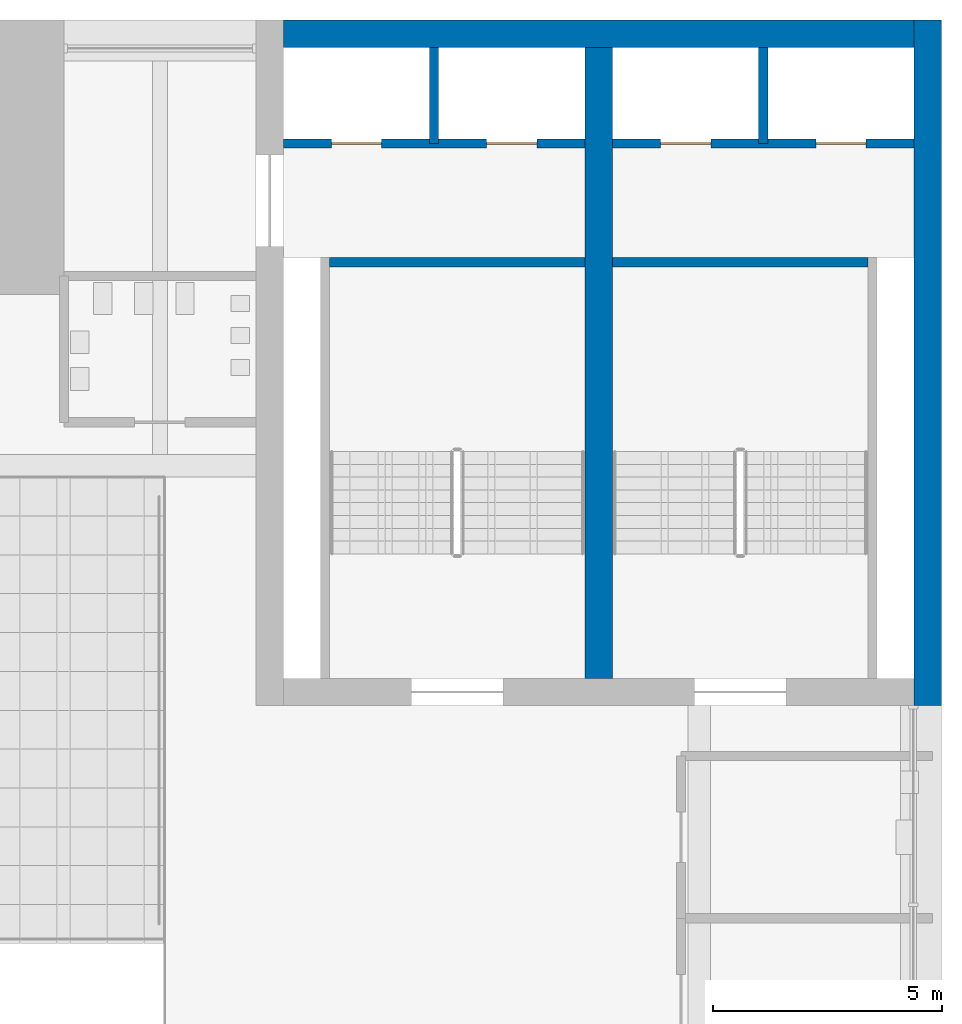
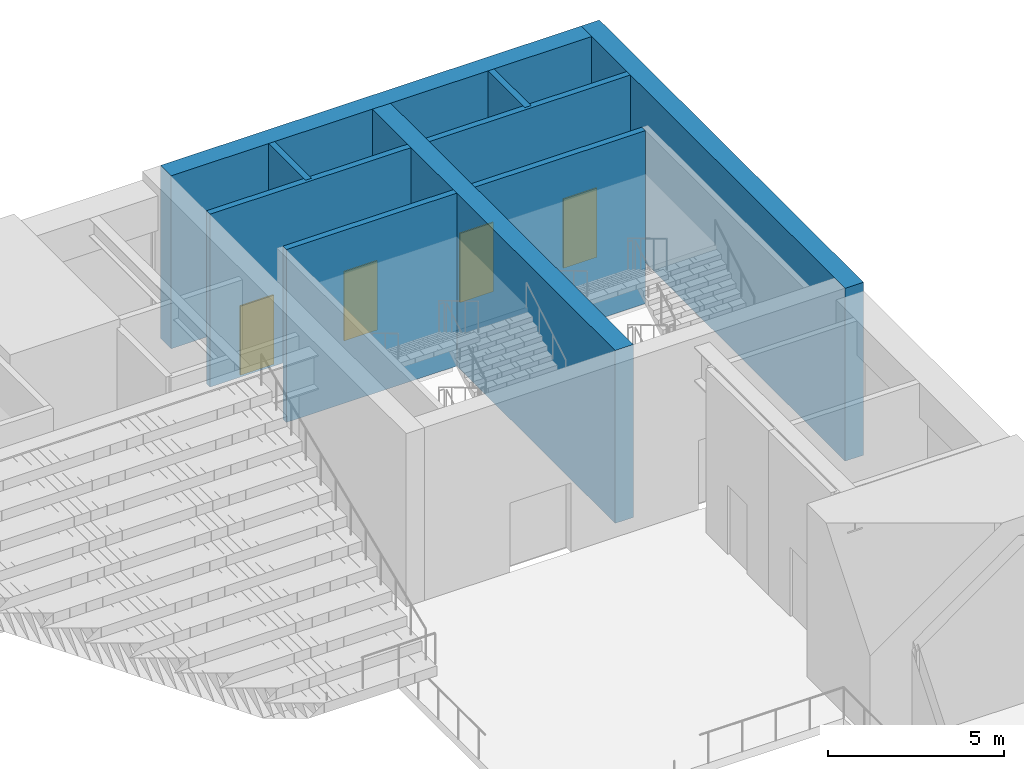
# One storey, part 33 of 61: 9 walls, 4 doors, 4 openings.
"""IFC4 building model written with IfcOpenShell, lengths in metres."""

import ifcopenshell
import ifcopenshell.guid

model = None  # the IFC model being written
_history = None  # IfcOwnerHistory: only IFC2X3 demands one
_inside = {}  # id of a spatial element -> (the spatial element, [elements in it])
_under = {}  # id of a project, library or spatial element -> (it, [spatial elements below it])
_declared = {}  # id of a project -> (the project, [libraries it declares])
_typed = {}  # id of a type object -> (the type object, [elements of that type])
_made_of = {}  # id of a material, layer set ... -> (it, [elements and type objects made of it])


def new_model(schema):
    """Start an empty IFC model of exactly this schema.

    Asked for "IFC4X3", IfcOpenShell would pick the latest addendum, in which some entities
    have other attributes; the version numbers below select the first issue.
    IFC2X3 requires an IfcOwnerHistory on every rooted entity: one is made here for all.
    """
    global model, _history
    if schema == "IFC4X3":
        model = ifcopenshell.file(schema_version=(4, 3, 0, 0))
    else:
        model = ifcopenshell.file(schema=schema)
    _inside.clear()
    _under.clear()
    _declared.clear()
    _typed.clear()
    _made_of.clear()
    _history = None
    if model.schema == "IFC2X3":
        org = make("IfcOrganization", Name="unknown")
        user = make(
            "IfcPersonAndOrganization",
            ThePerson=make("IfcPerson", FamilyName="unknown"),
            TheOrganization=org,
        )
        app = make(
            "IfcApplication",
            ApplicationDeveloper=org,
            Version="unknown",
            ApplicationFullName="unknown",
            ApplicationIdentifier="unknown",
        )
        _history = make(
            "IfcOwnerHistory",
            OwningUser=user,
            OwningApplication=app,
            ChangeAction="ADDED",
            CreationDate=0,
        )
    return model


def make(cls, **values):
    """One entity of the class cls with the attributes given. An attribute that is None is left unset."""
    return model.create_entity(
        cls, **{name: value for name, value in values.items() if value is not None}
    )


def rooted(cls, **values):
    """An entity with a GlobalId (a new one), such as an element, a storey or a relation."""
    return make(cls, GlobalId=ifcopenshell.guid.new(), OwnerHistory=_history, **values)


def si_unit(unit_type, name, prefix=None):
    """IfcSIUnit, for example si_unit("LENGTHUNIT", "METRE", prefix="MILLI")."""
    return make("IfcSIUnit", UnitType=unit_type, Prefix=prefix, Name=name)


def assignment(units):
    """IfcUnitAssignment: the units of a project."""
    return None if units is None else make("IfcUnitAssignment", Units=units)


def point(xyz):
    """IfcCartesianPoint."""
    return None if xyz is None else make("IfcCartesianPoint", Coordinates=xyz)


def direction(xyz):
    """IfcDirection."""
    return None if xyz is None else make("IfcDirection", DirectionRatios=xyz)


def frame(location, z_axis=None, x_axis=None):
    """IfcAxis2Placement3D, a coordinate frame: its origin and axes. An axis left out is left unset."""
    return make(
        "IfcAxis2Placement3D",
        Location=point(location),
        Axis=direction(z_axis),
        RefDirection=direction(x_axis),
    )


def frame_2d(location, x_axis=None):
    """IfcAxis2Placement2D, a coordinate frame in the plane: its origin and x axis."""
    return make(
        "IfcAxis2Placement2D", Location=point(location), RefDirection=direction(x_axis)
    )


def origin():
    """The frame at (0, 0, 0) with its axes left unset."""
    return frame((0.0, 0.0, 0.0))


def place(relative_to, where):
    """IfcLocalPlacement: puts the frame where relative to a parent placement (None: the world)."""
    return make(
        "IfcLocalPlacement", PlacementRelTo=relative_to, RelativePlacement=where
    )


def context(
    kind, dimensions, precision=None, world=None, true_north=None, identifier=None
):
    """IfcGeometricRepresentationContext, for example the 3D "Model" context."""
    return make(
        "IfcGeometricRepresentationContext",
        ContextIdentifier=identifier,
        ContextType=kind,
        CoordinateSpaceDimension=dimensions,
        Precision=precision,
        WorldCoordinateSystem=world,
        TrueNorth=true_north,
    )


def subcontext(parent, identifier, kind, view, scale=None):
    """IfcGeometricRepresentationSubContext, for example "Body" below "Model"."""
    return make(
        "IfcGeometricRepresentationSubContext",
        ContextIdentifier=identifier,
        ContextType=kind,
        ParentContext=parent,
        TargetScale=scale,
        TargetView=view,
    )


def project(units=None, contexts=None):
    """IfcProject with its units and contexts."""
    return rooted(
        "IfcProject",
        Name="project",
        RepresentationContexts=contexts,
        UnitsInContext=assignment(units),
    )


def spatial(cls, under=None, at=None, **own):
    """A site, building, storey or space (cls), placed at a placement, below another one or the project."""
    s = rooted(cls, ObjectPlacement=at, **own)
    if under is not None:
        _under.setdefault(under.id(), (under, []))[1].append(s)
    return s


def profile(cls, at=None, kind="AREA", **sizes):
    """A parametric profile (cls). Its sizes go by their IFC names, for example OverallWidth=200.0."""
    return make(cls, ProfileType=kind, Position=at, **sizes)


def rectangle(**sizes):
    """IfcRectangleProfileDef."""
    return profile("IfcRectangleProfileDef", **sizes)


def extrude(swept, where, along, depth):
    """IfcExtrudedAreaSolid: the profile swept, set in the frame where, extruded along a direction by depth."""
    return make(
        "IfcExtrudedAreaSolid",
        SweptArea=swept,
        Position=where,
        ExtrudedDirection=direction(along),
        Depth=depth,
    )


def shape(context_of_items, identifier, shape_type, items):
    """IfcShapeRepresentation: the items that make up one representation, for example the "Body"."""
    return make(
        "IfcShapeRepresentation",
        ContextOfItems=context_of_items,
        RepresentationIdentifier=identifier,
        RepresentationType=shape_type,
        Items=items,
    )


def material(Name=None, Category=None):
    """IfcMaterial."""
    return make("IfcMaterial", Name=Name, Category=Category)


def layer(
    of_material, thickness, ventilated=None, Name=None, Category=None, Priority=None
):
    """IfcMaterialLayer: one layer of a wall or slab, of a material (None: an air gap)."""
    return make(
        "IfcMaterialLayer",
        Material=of_material,
        LayerThickness=thickness,
        IsVentilated=ventilated,
        Name=Name,
        Category=Category,
        Priority=Priority,
    )


def layer_set(layers, Name=None):
    """IfcMaterialLayerSet."""
    return make("IfcMaterialLayerSet", MaterialLayers=layers, LayerSetName=Name)


def made_of(thing, what):
    """Note that an element or type object is made of a material, layer set ...; save() writes the relation."""
    if what is not None:
        _made_of.setdefault(what.id(), (what, []))[1].append(thing)
    return thing


def type_object(cls, material=None, **own):
    """A type object (cls), such as IfcWallType, which elements share."""
    return made_of(rooted(cls, **own), material)


def element(
    cls,
    number,
    at=None,
    inside=None,
    cuts=None,
    type_object=None,
    material=None,
    context=None,
    identifier="Body",
    shape_type=None,
    held_by="IfcProductDefinitionShape",
    body=None,
    shapes=None,
    **own,
):
    """One element of the class cls, such as IfcWall. Its Tag is "e" and its number.

    at: its placement. inside: the storey or other place that contains it. cuts: it is an
    opening in that element (IfcRelVoidsElement). A single representation is given by context,
    identifier, shape_type and body (its items); several are given by shapes. held_by: the class
    of the entity that holds the representations. save() writes the other relations.
    """
    e = rooted(cls, Tag="e%d" % number, ObjectPlacement=at, **own)
    if body is not None:
        shapes = [shape(context, identifier, shape_type, body)]
    if shapes is not None:
        e.Representation = make(held_by, Representations=shapes)
    if inside is not None:
        _inside.setdefault(inside.id(), (inside, []))[1].append(e)
    if cuts is not None:
        rooted(
            "IfcRelVoidsElement", RelatingBuildingElement=cuts, RelatedOpeningElement=e
        )
    if type_object is not None:
        _typed.setdefault(type_object.id(), (type_object, []))[1].append(e)
    return made_of(e, material)


def fill(opening, filler):
    """IfcRelFillsElement: the door or window that sits in an opening."""
    return rooted(
        "IfcRelFillsElement",
        RelatingOpeningElement=opening,
        RelatedBuildingElement=filler,
    )


def aggregate(whole, parts):
    """IfcRelAggregates: a whole, such as a stair, and the parts it consists of."""
    return rooted("IfcRelAggregates", RelatingObject=whole, RelatedObjects=parts)


def save(model, path):
    """Write the relations noted so far, then the file.

    IfcRelAggregates (storeys below a building ...), IfcRelContainedInSpatialStructure (elements
    in a storey), IfcRelDefinesByType, IfcRelAssociatesMaterial and IfcRelDeclares: one each for
    every whole, place, type object, material and project.
    """
    for whole, parts in _under.values():
        aggregate(whole, parts)
    for where, things in _inside.values():
        rooted(
            "IfcRelContainedInSpatialStructure",
            RelatedElements=things,
            RelatingStructure=where,
        )
    for kind, things in _typed.values():
        rooted("IfcRelDefinesByType", RelatedObjects=things, RelatingType=kind)
    for what, things in _made_of.values():
        rooted("IfcRelAssociatesMaterial", RelatedObjects=things, RelatingMaterial=what)
    for by, libraries in _declared.values():
        rooted("IfcRelDeclares", RelatingContext=by, RelatedDefinitions=libraries)
    model.write(path)


model = new_model("IFC4")

# Units and contexts
model_context = context("Model", 3, precision=1e-05, world=origin(), true_north=direction((0.0, 1.0)))
body_context = subcontext(model_context, "Body", "Model", "MODEL_VIEW")
ifc_project = project(units=[si_unit("LENGTHUNIT", "METRE"), si_unit("AREAUNIT", "SQUARE_METRE"), si_unit("VOLUMEUNIT", "CUBIC_METRE"), si_unit("PLANEANGLEUNIT", "RADIAN"), si_unit("MASSUNIT", "GRAM", prefix="KILO")], contexts=[model_context])

# Site, building, storey
site_placement = place(None, origin())
site = spatial("IfcSite", under=ifc_project, at=site_placement, CompositionType="ELEMENT")
building_placement = place(site_placement, origin())
building = spatial("IfcBuilding", under=site, at=building_placement, Name="Corbelhall Arena Tower", CompositionType="ELEMENT")
storey_placement = place(building_placement, frame((0.0, 0.0, 31.0)))
storey = spatial("IfcBuildingStorey", under=building, at=storey_placement, Name="L04", CompositionType="ELEMENT", Elevation=31.0)

# Wall, openings, doors
ifc_material_1 = material(Name="Reinforced concrete C40/50", Category="concrete")
ifc_layer_1 = layer(ifc_material_1, 0.199951171875)
ifc_layer_set_1 = layer_set([ifc_layer_1], Name="AR-SHAFT-WALL")
wall_type_1 = type_object("IfcWallType", Name="AR-SHAFT-WALL", PredefinedType="SHEAR", material=ifc_layer_set_1)
wall_1_placement = place(storey_placement, frame((33.60009765625, 36.300048828125, 0.0), z_axis=(0.0, 0.0, 1.0), x_axis=(1.0, 0.0, 0.0)))
wall_1 = element("IfcWall", 1, at=wall_1_placement, inside=storey, type_object=wall_type_1, Name="Lift lobby wall NE", PredefinedType="SHEAR", context=body_context, shape_type="SweptSolid", body=[
    extrude(rectangle(XDim=6.599853515625, YDim=0.199951171875, at=frame_2d((3.2998046875, 0.0))), origin(), (0.0, 0.0, 1.0), 6.0),
])
opening_1_placement = place(wall_1_placement, frame((1.050048828125, 0.0, 0.0)))
opening_1 = element("IfcOpeningElement", 2, at=opening_1_placement, cuts=wall_1, Name="Opening LD0137", PredefinedType="OPENING", context=body_context, shape_type="SweptSolid", body=[
    extrude(rectangle(XDim=1.10009765625, YDim=2.39990234375, at=frame_2d((0.550048828125, 1.199951171875))), frame((0.0, 0.10009765625, 0.0), z_axis=(0.0, -1.0, 0.0), x_axis=(1.0, 0.0, 0.0)), (0.0, 0.0, 1.0), 0.199951171875),
])
opening_2_placement = place(wall_1_placement, frame((4.449951171875, 0.0, 0.0)))
opening_2 = element("IfcOpeningElement", 3, at=opening_2_placement, cuts=wall_1, Name="Opening LD0138", PredefinedType="OPENING", context=body_context, shape_type="SweptSolid", body=[
    extrude(rectangle(XDim=1.10009765625, YDim=2.39990234375, at=frame_2d((0.550048828125, 1.199951171875))), frame((0.0, 0.10009765625, 0.0), z_axis=(0.0, -1.0, 0.0), x_axis=(1.0, 0.0, 0.0)), (0.0, 0.0, 1.0), 0.199951171875),
])
ifc_material_2 = material(Name="Stainless steel A4", Category="steel")
door_type = type_object("IfcDoorType", Name="AR-LANDING-DOOR", OperationType="DOUBLE_DOOR_SLIDING", PredefinedType="DOOR", material=ifc_material_2)
door_1_placement = place(opening_1_placement, origin())
door_1 = element("IfcDoor", 4, at=door_1_placement, inside=storey, type_object=door_type, Name="Landing door NE LF1 L04", OperationType="DOUBLE_DOOR_SLIDING", OverallHeight=2.39990234375, OverallWidth=1.10009765625, PredefinedType="DOOR", context=body_context, shape_type="SweptSolid", body=[
    extrude(rectangle(XDim=1.10009765625, YDim=2.39990234375, at=frame_2d((0.550048828125, 1.199951171875))), frame((0.0, 0.02490234375, 0.0), z_axis=(0.0, -1.0, 0.0), x_axis=(1.0, 0.0, 0.0)), (0.0, 0.0, 1.0), 0.050048828125),
])
fill(opening_1, door_1)
door_2_placement = place(opening_2_placement, origin())
door_2 = element("IfcDoor", 5, at=door_2_placement, inside=storey, type_object=door_type, Name="Landing door NE LF2 L04", OperationType="DOUBLE_DOOR_SLIDING", OverallHeight=2.39990234375, OverallWidth=1.10009765625, PredefinedType="DOOR", context=body_context, shape_type="SweptSolid", body=[
    extrude(rectangle(XDim=1.10009765625, YDim=2.39990234375, at=frame_2d((0.550048828125, 1.199951171875))), frame((0.0, 0.02490234375, 0.0), z_axis=(0.0, -1.0, 0.0), x_axis=(1.0, 0.0, 0.0)), (0.0, 0.0, 1.0), 0.050048828125),
])
fill(opening_2, door_2)

wall_2_placement = place(storey_placement, frame((40.800048828125, 36.300048828125, 0.0), z_axis=(0.0, 0.0, 1.0), x_axis=(1.0, 0.0, 0.0)))
wall_2 = element("IfcWall", 6, at=wall_2_placement, inside=storey, type_object=wall_type_1, Name="Lift lobby wall NE", PredefinedType="SHEAR", context=body_context, shape_type="SweptSolid", body=[
    extrude(rectangle(XDim=6.599853515625, YDim=0.199951171875, at=frame_2d((3.2998046875, 0.0))), origin(), (0.0, 0.0, 1.0), 6.0),
])
opening_3_placement = place(wall_2_placement, frame((1.050048828125, 0.0, 0.0)))
opening_3 = element("IfcOpeningElement", 7, at=opening_3_placement, cuts=wall_2, Name="Opening LD0139", PredefinedType="OPENING", context=body_context, shape_type="SweptSolid", body=[
    extrude(rectangle(XDim=1.10009765625, YDim=2.39990234375, at=frame_2d((0.550048828125, 1.199951171875))), frame((0.0, 0.10009765625, 0.0), z_axis=(0.0, -1.0, 0.0), x_axis=(1.0, 0.0, 0.0)), (0.0, 0.0, 1.0), 0.199951171875),
])
opening_4_placement = place(wall_2_placement, frame((4.449951171875, 0.0, 0.0)))
opening_4 = element("IfcOpeningElement", 8, at=opening_4_placement, cuts=wall_2, Name="Opening LD0140", PredefinedType="OPENING", context=body_context, shape_type="SweptSolid", body=[
    extrude(rectangle(XDim=1.10009765625, YDim=2.39990234375, at=frame_2d((0.550048828125, 1.199951171875))), frame((0.0, 0.10009765625, 0.0), z_axis=(0.0, -1.0, 0.0), x_axis=(1.0, 0.0, 0.0)), (0.0, 0.0, 1.0), 0.199951171875),
])
door_3_placement = place(opening_3_placement, origin())
door_3 = element("IfcDoor", 9, at=door_3_placement, inside=storey, type_object=door_type, Name="Landing door NE LF3 L04", OperationType="DOUBLE_DOOR_SLIDING", OverallHeight=2.39990234375, OverallWidth=1.10009765625, PredefinedType="DOOR", context=body_context, shape_type="SweptSolid", body=[
    extrude(rectangle(XDim=1.10009765625, YDim=2.39990234375, at=frame_2d((0.550048828125, 1.199951171875))), frame((0.0, 0.02490234375, 0.0), z_axis=(0.0, -1.0, 0.0), x_axis=(1.0, 0.0, 0.0)), (0.0, 0.0, 1.0), 0.050048828125),
])
fill(opening_3, door_3)
door_4_placement = place(opening_4_placement, origin())
door_4 = element("IfcDoor", 10, at=door_4_placement, inside=storey, type_object=door_type, Name="Landing door NE LF4 L04", OperationType="DOUBLE_DOOR_SLIDING", OverallHeight=2.39990234375, OverallWidth=1.10009765625, PredefinedType="DOOR", context=body_context, shape_type="SweptSolid", body=[
    extrude(rectangle(XDim=1.10009765625, YDim=2.39990234375, at=frame_2d((0.550048828125, 1.199951171875))), frame((0.0, 0.02490234375, 0.0), z_axis=(0.0, -1.0, 0.0), x_axis=(1.0, 0.0, 0.0)), (0.0, 0.0, 1.0), 0.050048828125),
])
fill(opening_4, door_4)

# Walls
for number, where, z_axis, x_axis, name in (
    (11, (36.89990234375, 36.300048828125, 0.0), (0.0, 0.0, 1.0), (0.0, 1.0, 0.0), "Shaft wall NE"),
    (12, (44.10009765625, 36.300048828125, 0.0), (0.0, 0.0, 1.0), (0.0, 1.0, 0.0), "Shaft wall NE"),
):
    element("IfcWall", number, at=place(storey_placement, frame(where, z_axis=z_axis, x_axis=x_axis)), inside=storey, type_object=wall_type_1, Name=name, PredefinedType="SHEAR", context=body_context, shape_type="SweptSolid", body=[
        extrude(rectangle(XDim=2.099853515625, YDim=0.199951171875, at=frame_2d((1.0498046875, 0.0))), origin(), (0.0, 0.0, 1.0), 6.0),
    ])
ifc_layer_2 = layer(ifc_material_1, 0.199951171875)
ifc_layer_set_2 = layer_set([ifc_layer_2], Name="AR-STAIR-WALL")
wall_type_2 = type_object("IfcWallType", Name="AR-STAIR-WALL", PredefinedType="SOLIDWALL", material=ifc_layer_set_2)
for number, where, z_axis, x_axis, name in (
    (13, (34.610107421875, 33.699951171875, 0.0), (0.0, 0.0, 1.0), (1.0, 0.0, 0.0), "Stair AS1 wall"),
    (14, (40.800048828125, 33.699951171875, 0.0), (0.0, 0.0, 1.0), (1.0, 0.0, 0.0), "Stair AS2 wall"),
):
    element("IfcWall", number, at=place(storey_placement, frame(where, z_axis=z_axis, x_axis=x_axis)), inside=storey, type_object=wall_type_2, Name=name, PredefinedType="SOLIDWALL", context=body_context, shape_type="SweptSolid", body=[
        extrude(rectangle(XDim=5.58984375, YDim=0.199951171875, at=frame_2d((2.794921875, 0.0))), origin(), (0.0, 0.0, 1.0), 6.0),
    ])
ifc_material_3 = material(Name="Concrete C80/95", Category="concrete")
ifc_layer_3 = layer(ifc_material_3, 0.60009765625)
ifc_layer_set_3 = layer_set([ifc_layer_3], Name="PO-CORE-WALL")
wall_type_3 = type_object("IfcWallType", Name="PO-CORE-WALL", PredefinedType="SHEAR", material=ifc_layer_set_3)
wall_3_placement = place(storey_placement, frame((33.60009765625, 38.699951171875, 0.0), z_axis=(0.0, 0.0, 1.0), x_axis=(1.0, 0.0, 0.0)))
element("IfcWall", 15, at=wall_3_placement, inside=storey, type_object=wall_type_3, Name="CORE NE WALL N L04", PredefinedType="SHEAR", context=body_context, shape_type="SweptSolid", body=[
    extrude(rectangle(XDim=13.7998046875, YDim=0.60009765625, at=frame_2d((6.89990234375, 0.0))), origin(), (0.0, 0.0, 1.0), 6.0),
])
wall_4_placement = place(storey_placement, frame((47.699951171875, 24.0, 0.0), z_axis=(0.0, 0.0, 1.0), x_axis=(0.0, 1.0, 0.0)))
element("IfcWall", 16, at=wall_4_placement, inside=storey, type_object=wall_type_3, Name="CORE NE WALL E L04", PredefinedType="SHEAR", context=body_context, shape_type="SweptSolid", body=[
    extrude(rectangle(XDim=15.0, YDim=0.60009765625, at=frame_2d((7.5, 0.0))), origin(), (0.0, 0.0, 1.0), 6.0),
])
wall_5_placement = place(storey_placement, frame((40.5, 24.60009765625, 0.0), z_axis=(0.0, 0.0, 1.0), x_axis=(0.0, 1.0, 0.0)))
element("IfcWall", 17, at=wall_5_placement, inside=storey, type_object=wall_type_3, Name="CORE NE WALL D L04", PredefinedType="SHEAR", context=body_context, shape_type="SweptSolid", body=[
    extrude(rectangle(XDim=13.7998046875, YDim=0.60009765625, at=frame_2d((6.89990234375, 0.0))), origin(), (0.0, 0.0, 1.0), 6.0),
])

save(model, "model.ifc")
